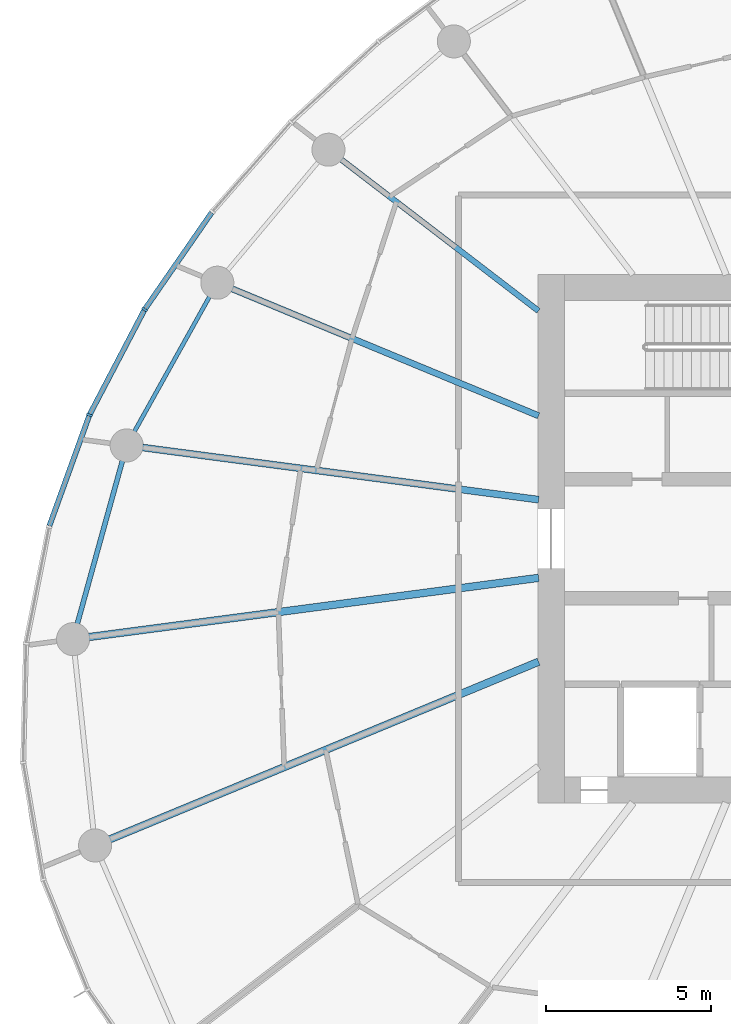
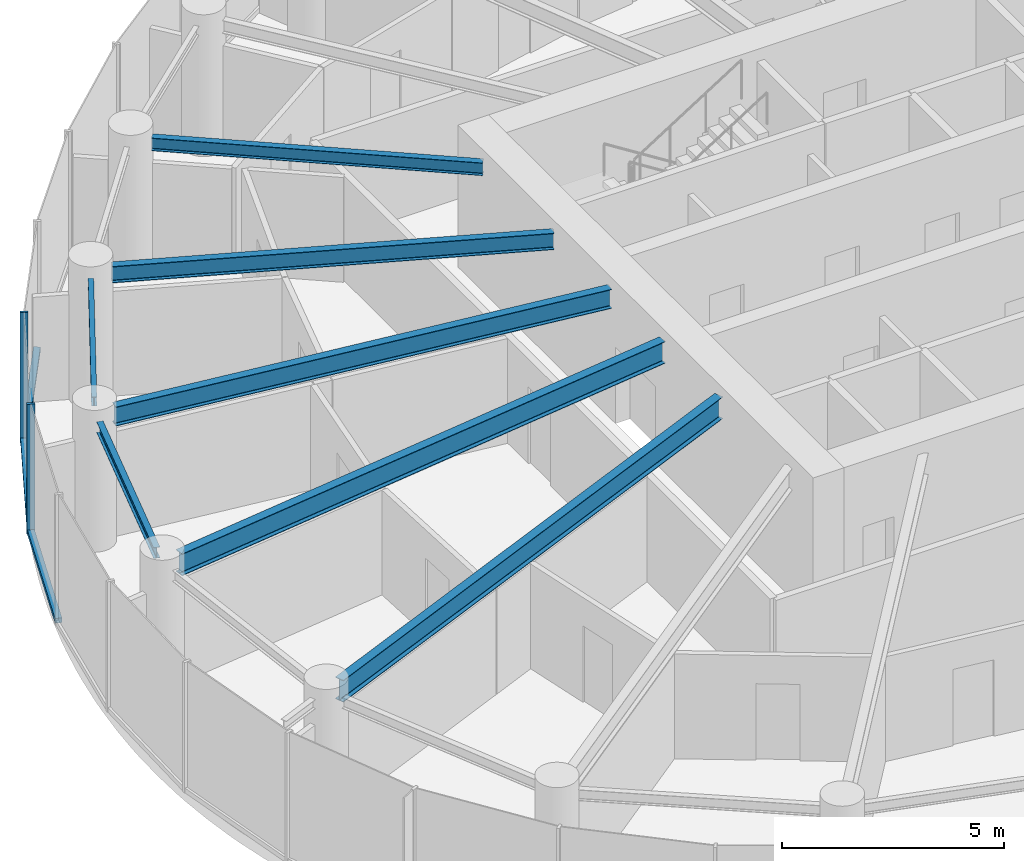
# One storey, part 3 of 15: 7 beams, 5 members, 1 element without a shape of its own.
"""IFC4 building model written with IfcOpenShell, lengths in metres."""

from ifc_helpers import new_model, si_unit, direction, frame, origin, origin_2d, place, context, subcontext, project, spatial, rectangle, i_section, extrude, source, transform, mapped, material, layer, layer_set, material_profile, profile_set, type_object, element, aggregate, save


model = new_model("IFC4")

# Units and contexts
model_context = context("Model", 3, precision=1e-05, world=origin(), true_north=direction((0.0, 1.0)))
body_context = subcontext(model_context, "Body", "Model", "MODEL_VIEW")
ifc_project = project(units=[si_unit("LENGTHUNIT", "METRE"), si_unit("AREAUNIT", "SQUARE_METRE"), si_unit("VOLUMEUNIT", "CUBIC_METRE"), si_unit("PLANEANGLEUNIT", "RADIAN"), si_unit("MASSUNIT", "GRAM", prefix="KILO")], contexts=[model_context])

# Site, building, storey
site_placement = place(None, origin())
site = spatial("IfcSite", under=ifc_project, at=site_placement, CompositionType="ELEMENT")
building_placement = place(site_placement, origin())
building = spatial("IfcBuilding", under=site, at=building_placement, Name="Spindrift Exchange Tower", CompositionType="ELEMENT")
storey_placement = place(building_placement, frame((0.0, 0.0, 168.199951171875)))
storey = spatial("IfcBuildingStorey", under=building, at=storey_placement, Name="L40", CompositionType="ELEMENT", Elevation=168.199951171875)

# Beams
ifc_material_1 = material(Name="Steel Grade 300", Category="steel")
ifc_material_profile_1 = material_profile(ifc_material_1, i_section(OverallWidth=0.1240234375, OverallDepth=0.248046875, WebThickness=0.0048828125, FlangeThickness=0.008056640625, FilletRadius=0.011962890625, at=origin_2d()), Name="250UB25.7")
ifc_profile_set_1 = profile_set([ifc_material_profile_1], Name="Steel Grade 300")
beam_type_1 = type_object("IfcBeamType", Name="Edge Beam 250UB25.7 Steel Grade 300", PredefinedType="SPANDREL", material=ifc_profile_set_1)
shared_shape_1 = source(origin(), body_context, "Body", "SweptSolid", [
    extrude(i_section(OverallWidth=0.1240234375, OverallDepth=0.248046875, WebThickness=0.0048828125, FlangeThickness=0.008056640625, FilletRadius=0.011962890625, at=origin_2d()), origin(), (0.0, 0.0, 1.0), 4.6748046875),
])
beam_1_placement = place(storey_placement, frame((33.067138671875, 55.326171875, 3.4560546875), z_axis=(-0.486587145143, -0.873632045075, 0.0), x_axis=(0.873632045075, -0.486587145143, 0.0)))
element("IfcBeam", 1, at=beam_1_placement, inside=storey, type_object=beam_type_1, Name="L40 edge beam E11", PredefinedType="SPANDREL", context=body_context, shape_type="MappedRepresentation", body=[
    mapped(shared_shape_1, transform((0.0, 0.0, 0.0), scale=1.0)),
])
ifc_material_profile_2 = material_profile(ifc_material_1, i_section(OverallWidth=0.14892578125, OverallDepth=0.298095703125, WebThickness=0.005615234375, FlangeThickness=0.008056640625, FilletRadius=0.012939453125, at=origin_2d()), Name="310UB32.0")
ifc_profile_set_2 = profile_set([ifc_material_profile_2], Name="Steel Grade 300")
beam_type_2 = type_object("IfcBeamType", Name="Edge Beam 310UB32.0 Steel Grade 300", PredefinedType="SPANDREL", material=ifc_profile_set_2)
shared_shape_2 = source(origin(), body_context, "Body", "SweptSolid", [
    extrude(i_section(OverallWidth=0.14892578125, OverallDepth=0.298095703125, WebThickness=0.005615234375, FlangeThickness=0.008056640625, FilletRadius=0.012939453125, at=origin_2d()), origin(), (0.0, 0.0, 1.0), 5.118896484375),
])
beam_2_placement = place(storey_placement, frame((30.430908203125, 50.360107421875, 3.43115234375), z_axis=(-0.266654866605, -0.963792084485, 0.0), x_axis=(0.963792084485, -0.266654866605, 0.0)))
element("IfcBeam", 2, at=beam_2_placement, inside=storey, type_object=beam_type_2, Name="L40 edge beam E12", PredefinedType="SPANDREL", context=body_context, shape_type="MappedRepresentation", body=[
    mapped(shared_shape_2, transform((0.0, 0.0, 0.0), scale=1.0)),
])
ifc_material_profile_3 = material_profile(ifc_material_1, i_section(OverallWidth=0.22802734375, OverallDepth=0.60205078125, WebThickness=0.010498046875, FlangeThickness=0.014892578125, FilletRadius=0.013916015625, at=origin_2d()), Name="610UB101")
ifc_profile_set_3 = profile_set([ifc_material_profile_3], Name="Steel Grade 300")
beam_type_3 = type_object("IfcBeamType", Name="Floor Beam 610UB101 Steel Grade 300", PredefinedType="BEAM", material=ifc_profile_set_3)
shared_shape_3 = source(origin(), body_context, "Body", "SweptSolid", [
    extrude(i_section(OverallWidth=0.22802734375, OverallDepth=0.60205078125, WebThickness=0.010498046875, FlangeThickness=0.014892578125, FilletRadius=0.013916015625, at=origin_2d()), origin(), (0.0, 0.0, 1.0), 13.723388671875),
])
beam_3_placement = place(storey_placement, frame((43.019775390625, 46.817626953125, 3.279052734375), z_axis=(-0.991447148915, -0.13050881544, 0.0), x_axis=(0.13050881544, -0.991447148915, 0.0)))
element("IfcBeam", 3, at=beam_3_placement, inside=storey, type_object=beam_type_3, Name="L40 radial beam R13A", PredefinedType="BEAM", context=body_context, shape_type="MappedRepresentation", body=[
    mapped(shared_shape_3, transform((0.0, 0.0, 0.0), scale=1.0)),
])
shared_shape_4 = source(origin(), body_context, "Body", "SweptSolid", [
    extrude(i_section(OverallWidth=0.22802734375, OverallDepth=0.60205078125, WebThickness=0.010498046875, FlangeThickness=0.014892578125, FilletRadius=0.013916015625, at=origin_2d()), origin(), (0.0, 0.0, 1.0), 14.04052734375),
])
beam_4_placement = place(storey_placement, frame((43.0185546875, 44.27978515625, 3.279052734375), z_axis=(-0.923879501748, -0.382683506634, 0.0), x_axis=(0.382683506634, -0.923879501748, 0.0)))
element("IfcBeam", 4, at=beam_4_placement, inside=storey, type_object=beam_type_3, Name="L40 radial beam R14A", PredefinedType="BEAM", context=body_context, shape_type="MappedRepresentation", body=[
    mapped(shared_shape_4, transform((0.0, 0.0, 0.0), scale=1.0)),
])
ifc_material_profile_4 = material_profile(ifc_material_1, i_section(OverallWidth=0.1708984375, OverallDepth=0.35205078125, WebThickness=0.0068359375, FlangeThickness=0.009765625, FilletRadius=0.013916015625, at=origin_2d()), Name="360UB44.7")
ifc_profile_set_4 = profile_set([ifc_material_profile_4], Name="Steel Grade 300")
beam_type_4 = type_object("IfcBeamType", Name="Floor Beam 360UB44.7 Steel Grade 300", PredefinedType="BEAM", material=ifc_profile_set_4)
shared_shape_5 = source(origin(), body_context, "Body", "SweptSolid", [
    extrude(i_section(OverallWidth=0.1708984375, OverallDepth=0.35205078125, WebThickness=0.0068359375, FlangeThickness=0.009765625, FilletRadius=0.013916015625, at=origin_2d()), origin(), (0.0, 0.0, 1.0), 7.52685546875),
])
beam_5_placement = place(storey_placement, frame((43.015869140625, 54.893798828125, 3.404052734375), z_axis=(-0.793354136078, 0.608760391918, 0.0), x_axis=(-0.608760391918, -0.793354136078, 0.0)))
element("IfcBeam", 5, at=beam_5_placement, inside=storey, type_object=beam_type_4, Name="L40 radial beam R10A", PredefinedType="BEAM", context=body_context, shape_type="MappedRepresentation", body=[
    mapped(shared_shape_5, transform((0.0, 0.0, 0.0), scale=1.0)),
])
ifc_material_profile_5 = material_profile(ifc_material_1, i_section(OverallWidth=0.18994140625, OverallDepth=0.4541015625, WebThickness=0.008544921875, FlangeThickness=0.0126953125, FilletRadius=0.013916015625, at=origin_2d()), Name="460UB67.1")
ifc_profile_set_5 = profile_set([ifc_material_profile_5], Name="Steel Grade 300")
beam_type_5 = type_object("IfcBeamType", Name="Floor Beam 460UB67.1 Steel Grade 300", PredefinedType="BEAM", material=ifc_profile_set_5)
shared_shape_6 = source(origin(), body_context, "Body", "SweptSolid", [
    extrude(i_section(OverallWidth=0.18994140625, OverallDepth=0.4541015625, WebThickness=0.008544921875, FlangeThickness=0.0126953125, FilletRadius=0.013916015625, at=origin_2d()), origin(), (0.0, 0.0, 1.0), 10.03857421875),
])
beam_6_placement = place(storey_placement, frame((43.0185546875, 51.72021484375, 3.35302734375), z_axis=(-0.923880777638, 0.382680426349, 0.0), x_axis=(-0.382680426349, -0.923880777638, 0.0)))
element("IfcBeam", 6, at=beam_6_placement, inside=storey, type_object=beam_type_5, Name="L40 radial beam R11A", PredefinedType="BEAM", context=body_context, shape_type="MappedRepresentation", body=[
    mapped(shared_shape_6, transform((0.0, 0.0, 0.0), scale=1.0)),
])
ifc_material_profile_6 = material_profile(ifc_material_1, i_section(OverallWidth=0.208984375, OverallDepth=0.528076171875, WebThickness=0.009521484375, FlangeThickness=0.01318359375, FilletRadius=0.013916015625, at=origin_2d()), Name="530UB82.0")
ifc_profile_set_6 = profile_set([ifc_material_profile_6], Name="Steel Grade 300")
beam_type_6 = type_object("IfcBeamType", Name="Floor Beam 530UB82.0 Steel Grade 300", PredefinedType="BEAM", material=ifc_profile_set_6)
shared_shape_7 = source(origin(), body_context, "Body", "SweptSolid", [
    extrude(i_section(OverallWidth=0.208984375, OverallDepth=0.528076171875, WebThickness=0.009521484375, FlangeThickness=0.01318359375, FilletRadius=0.013916015625, at=origin_2d()), origin(), (0.0, 0.0, 1.0), 12.088134765625),
])
beam_7_placement = place(storey_placement, frame((43.019775390625, 49.182373046875, 3.316162109375), z_axis=(-0.991447007302, 0.130509891244, 0.0), x_axis=(-0.130509891244, -0.991447007302, 0.0)))
element("IfcBeam", 7, at=beam_7_placement, inside=storey, type_object=beam_type_6, Name="L40 radial beam R12A", PredefinedType="BEAM", context=body_context, shape_type="MappedRepresentation", body=[
    mapped(shared_shape_7, transform((0.0, 0.0, 0.0), scale=1.0)),
])

# Curtain wall, members
ifc_material_2 = material(Name="Fritted laminated glass with bronze frame", Category="glass")
ifc_layer = layer(ifc_material_2, 0.179931640625)
ifc_layer_set = layer_set([ifc_layer], Name="ZONE 3 BRONZE FRITTED WALL")
curtain_wall_type = type_object("IfcCurtainWallType", Name="ZONE 3 BRONZE FRITTED WALL", PredefinedType="NOTDEFINED", material=ifc_layer_set)
curtain_wall_placement = place(storey_placement, origin())
curtain_wall = element("IfcCurtainWall", 8, at=curtain_wall_placement, inside=storey, type_object=curtain_wall_type, Name="L40 Zone 3 Bronze Fritted Wall run 3", PredefinedType="NOTDEFINED")
ifc_material_3 = material(Name="Bronze anodised aluminium", Category="aluminium")
ifc_material_profile_7 = material_profile(ifc_material_3, rectangle(XDim=0.159912109375, YDim=0.1298828125, at=origin_2d()), Name="ZONE 3 BRONZE FRITTED WALL TRANSOM 160X130")
ifc_profile_set_7 = profile_set([ifc_material_profile_7], Name="Bronze anodised aluminium")
member_type_1 = type_object("IfcMemberType", Name="ZONE 3 BRONZE FRITTED WALL TRANSOM 160X130", PredefinedType="USERDEFINED", material=ifc_profile_set_7)
shared_shape_8 = source(origin(), body_context, "Body", "SweptSolid", [
    extrude(rectangle(XDim=0.159912109375, YDim=0.1298828125, at=origin_2d()), origin(), (0.0, 0.0, 1.0), 3.530517578125),
])
member_1_placement = place(storey_placement, frame((33.12939453125, 57.866455078125, 0.06494140625), z_axis=(-0.568853924986, -0.822438576447, 0.0), x_axis=(0.822438576447, -0.568853924986, 0.0)))
member_1 = element("IfcMember", 9, at=member_1_placement, type_object=member_type_1, Name="L40 transom CW-3.14", ObjectType="TRANSOM", PredefinedType="USERDEFINED", context=body_context, shape_type="MappedRepresentation", body=[
    mapped(shared_shape_8, transform((0.0, 0.0, 0.0), scale=1.0)),
])
ifc_material_profile_8 = material_profile(ifc_material_3, rectangle(XDim=0.070068359375, YDim=0.179931640625, at=origin_2d()), Name="ZONE 3 BRONZE FRITTED WALL MULLION 70X180")
ifc_profile_set_8 = profile_set([ifc_material_profile_8], Name="Bronze anodised aluminium")
member_type_2 = type_object("IfcMemberType", Name="ZONE 3 BRONZE FRITTED WALL MULLION 70X180", PredefinedType="MULLION", material=ifc_profile_set_8)
shared_shape_9 = source(origin(), body_context, "Body", "SweptSolid", [
    extrude(rectangle(XDim=0.070068359375, YDim=0.179931640625, at=origin_2d()), origin(), (0.0, 0.0, 1.0), 3.580078125),
])
member_2_placement = place(storey_placement, frame((31.101318359375, 54.93408203125, 0.0), z_axis=(0.0, 0.0, 1.0), x_axis=(-0.517192038093, -0.855869380065, 0.0)))
member_2 = element("IfcMember", 10, at=member_2_placement, type_object=member_type_2, Name="L40 mullion CW-3.15", PredefinedType="MULLION", context=body_context, shape_type="MappedRepresentation", body=[
    mapped(shared_shape_9, transform((0.0, 0.0, 0.0), scale=1.0)),
])
member_3_placement = place(storey_placement, frame((29.432373046875, 51.744384765625, 0.0), z_axis=(0.0, 0.0, 1.0), x_axis=(-0.402602054294, -0.915375106652, 0.0)))
member_3 = element("IfcMember", 11, at=member_3_placement, type_object=member_type_2, Name="L40 mullion CW-3.16", PredefinedType="MULLION", context=body_context, shape_type="MappedRepresentation", body=[
    mapped(shared_shape_9, transform((0.0, 0.0, 0.0), scale=1.0)),
])
shared_shape_10 = source(origin(), body_context, "Body", "SweptSolid", [
    extrude(rectangle(XDim=0.159912109375, YDim=0.1298828125, at=origin_2d()), origin(), (0.0, 0.0, 1.0), 3.530029296875),
])
member_4_placement = place(storey_placement, frame((31.0849609375, 54.903076171875, 0.06494140625), z_axis=(-0.463598613788, -0.886045329142, 0.0), x_axis=(0.886045329142, -0.463598613788, 0.0)))
member_4 = element("IfcMember", 12, at=member_4_placement, type_object=member_type_1, Name="L40 transom CW-3.15", ObjectType="TRANSOM", PredefinedType="USERDEFINED", context=body_context, shape_type="MappedRepresentation", body=[
    mapped(shared_shape_10, transform((0.0, 0.0, 0.0), scale=1.0)),
])
shared_shape_11 = source(origin(), body_context, "Body", "SweptSolid", [
    extrude(rectangle(XDim=0.159912109375, YDim=0.1298828125, at=origin_2d()), origin(), (0.0, 0.0, 1.0), 3.529541015625),
])
member_5_placement = place(storey_placement, frame((29.42041015625, 51.71142578125, 0.06494140625), z_axis=(-0.339765143312, -0.940510312219, 0.0), x_axis=(0.940510312219, -0.339765143312, 0.0)))
member_5 = element("IfcMember", 13, at=member_5_placement, type_object=member_type_1, Name="L40 transom CW-3.16", ObjectType="TRANSOM", PredefinedType="USERDEFINED", context=body_context, shape_type="MappedRepresentation", body=[
    mapped(shared_shape_11, transform((0.0, 0.0, 0.0), scale=1.0)),
])
aggregate(curtain_wall, [member_1, member_2, member_4, member_3, member_5])

save(model, "model.ifc")
